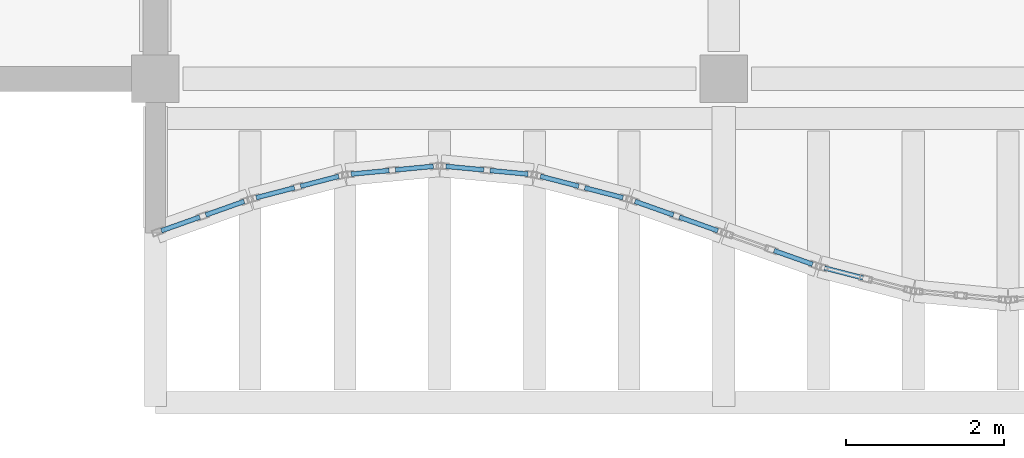
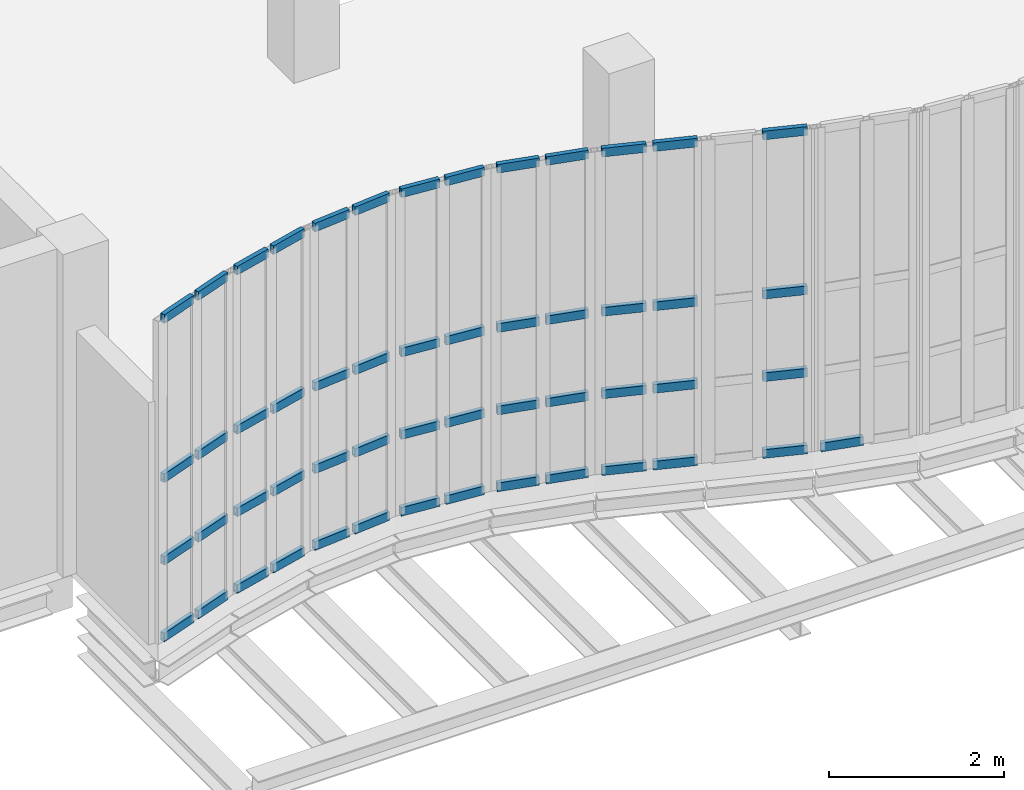
# One storey, part 46 of 105: 53 members, 8 elements without a shape of their own.
"""IFC4 building model written with IfcOpenShell, lengths in metres."""

from ifc_helpers import new_model, si_unit, direction, frame, origin, origin_2d, place, context, subcontext, project, spatial, hollow_rectangle, extrude, material, layer, layer_set, material_profile, profile_set, type_object, element, aggregate, save


model = new_model("IFC4")

# Units and contexts
model_context = context("Model", 3, precision=1e-05, world=origin(), true_north=direction((0.0, 1.0)))
body_context = subcontext(model_context, "Body", "Model", "MODEL_VIEW")
ifc_project = project(units=[si_unit("LENGTHUNIT", "METRE"), si_unit("AREAUNIT", "SQUARE_METRE"), si_unit("VOLUMEUNIT", "CUBIC_METRE"), si_unit("PLANEANGLEUNIT", "RADIAN"), si_unit("MASSUNIT", "GRAM", prefix="KILO"), si_unit("THERMODYNAMICTEMPERATUREUNIT", "KELVIN"), si_unit("POWERUNIT", "WATT")], contexts=[model_context])

# Site, building, storey
site_placement = place(None, origin())
site = spatial("IfcSite", under=ifc_project, at=site_placement, CompositionType="ELEMENT")
building_placement = place(site_placement, origin())
building = spatial("IfcBuilding", under=site, at=building_placement, Name="Kaldorven Railside Theatre", CompositionType="ELEMENT")
storey_placement = place(building_placement, frame((0.0, 0.0, 9.89990234375)))
storey = spatial("IfcBuildingStorey", under=building, at=storey_placement, Name="L02", CompositionType="ELEMENT", Elevation=9.89990234375)

# Curtain wall, members
ifc_material_1 = material(Name="Low-E laminated solar-control glass", Category="glass")
ifc_layer_1 = layer(ifc_material_1, 0.159912109375, Name="Low-E laminated solar-control glass")
ifc_layer_set_1 = layer_set([ifc_layer_1], Name="Low-E laminated solar-control glass")
curtain_wall_type_1 = type_object("IfcCurtainWallType", Name="CWT-01", PredefinedType="USERDEFINED", material=ifc_layer_set_1)
curtain_wall_1_placement = place(storey_placement, origin())
curtain_wall_1 = element("IfcCurtainWall", 1, at=curtain_wall_1_placement, inside=storey, type_object=curtain_wall_type_1, Name="Sinusoidal Fluted Curtain Wall CW-L02-S01", ObjectType="FLUTED GLAZING", PredefinedType="USERDEFINED")
ifc_material_2 = material(Name="Anodised bronze aluminium", Category="aluminium")
ifc_material_profile = material_profile(ifc_material_2, hollow_rectangle(XDim=0.06005859375, YDim=0.1201171875, WallThickness=0.0048828125, at=origin_2d()), Name="RHS 120x60x5")
ifc_profile_set = profile_set([ifc_material_profile], Name="Anodised bronze aluminium")
member_type = type_object("IfcMemberType", Name="CWT-120", PredefinedType="USERDEFINED", material=ifc_profile_set)
member_1_placement = place(storey_placement, frame((36.87548828125, 17.276611328125, 0.030029296875), z_axis=(0.942509408488, 0.334179614745, 0.0), x_axis=(-0.334179614745, 0.942509408488, 0.0)))
member_1 = element("IfcMember", 2, at=member_1_placement, type_object=member_type, Name="CW-L02-S01 transom 1.1", ObjectType="TRANSOM", PredefinedType="USERDEFINED", context=body_context, shape_type="SweptSolid", body=[
    extrude(hollow_rectangle(XDim=0.06005859375, YDim=0.1201171875, WallThickness=0.0048828125, at=origin_2d()), origin(), (0.0, 0.0, 1.0), 0.5166015625),
])
member_2_placement = place(storey_placement, frame((36.87548828125, 17.276611328125, 1.10009765625), z_axis=(0.942509408488, 0.334179614745, 0.0), x_axis=(-0.334179614745, 0.942509408488, 0.0)))
member_2 = element("IfcMember", 3, at=member_2_placement, type_object=member_type, Name="CW-L02-S01 transom 1.2", ObjectType="TRANSOM", PredefinedType="USERDEFINED", context=body_context, shape_type="SweptSolid", body=[
    extrude(hollow_rectangle(XDim=0.06005859375, YDim=0.1201171875, WallThickness=0.0048828125, at=origin_2d()), origin(), (0.0, 0.0, 1.0), 0.5166015625),
])
member_3_placement = place(storey_placement, frame((36.87548828125, 17.276611328125, 2.25), z_axis=(0.942509408488, 0.334179614745, 0.0), x_axis=(-0.334179614745, 0.942509408488, 0.0)))
member_3 = element("IfcMember", 4, at=member_3_placement, type_object=member_type, Name="CW-L02-S01 transom 1.3", ObjectType="TRANSOM", PredefinedType="USERDEFINED", context=body_context, shape_type="SweptSolid", body=[
    extrude(hollow_rectangle(XDim=0.06005859375, YDim=0.1201171875, WallThickness=0.0048828125, at=origin_2d()), origin(), (0.0, 0.0, 1.0), 0.5166015625),
])
member_4_placement = place(storey_placement, frame((36.87548828125, 17.276611328125, 4.47021484375), z_axis=(0.942509408488, 0.334179614745, 0.0), x_axis=(-0.334179614745, 0.942509408488, 0.0)))
member_4 = element("IfcMember", 5, at=member_4_placement, type_object=member_type, Name="CW-L02-S01 transom 1.4", ObjectType="TRANSOM", PredefinedType="USERDEFINED", context=body_context, shape_type="SweptSolid", body=[
    extrude(hollow_rectangle(XDim=0.06005859375, YDim=0.1201171875, WallThickness=0.0048828125, at=origin_2d()), origin(), (0.0, 0.0, 1.0), 0.5166015625),
])
member_5_placement = place(storey_placement, frame((37.437744140625, 17.475830078125, 0.030029296875), z_axis=(0.942658214948, 0.333759628763, 0.0), x_axis=(-0.333759628763, 0.942658214948, 0.0)))
member_5 = element("IfcMember", 6, at=member_5_placement, type_object=member_type, Name="CW-L02-S01 transom 2.1", ObjectType="TRANSOM", PredefinedType="USERDEFINED", context=body_context, shape_type="SweptSolid", body=[
    extrude(hollow_rectangle(XDim=0.06005859375, YDim=0.1201171875, WallThickness=0.0048828125, at=origin_2d()), origin(), (0.0, 0.0, 1.0), 0.516357421875),
])
member_6_placement = place(storey_placement, frame((37.437744140625, 17.475830078125, 1.10009765625), z_axis=(0.942658214948, 0.333759628763, 0.0), x_axis=(-0.333759628763, 0.942658214948, 0.0)))
member_6 = element("IfcMember", 7, at=member_6_placement, type_object=member_type, Name="CW-L02-S01 transom 2.2", ObjectType="TRANSOM", PredefinedType="USERDEFINED", context=body_context, shape_type="SweptSolid", body=[
    extrude(hollow_rectangle(XDim=0.06005859375, YDim=0.1201171875, WallThickness=0.0048828125, at=origin_2d()), origin(), (0.0, 0.0, 1.0), 0.516357421875),
])
member_7_placement = place(storey_placement, frame((37.437744140625, 17.475830078125, 2.25), z_axis=(0.942658214948, 0.333759628763, 0.0), x_axis=(-0.333759628763, 0.942658214948, 0.0)))
member_7 = element("IfcMember", 8, at=member_7_placement, type_object=member_type, Name="CW-L02-S01 transom 2.3", ObjectType="TRANSOM", PredefinedType="USERDEFINED", context=body_context, shape_type="SweptSolid", body=[
    extrude(hollow_rectangle(XDim=0.06005859375, YDim=0.1201171875, WallThickness=0.0048828125, at=origin_2d()), origin(), (0.0, 0.0, 1.0), 0.516357421875),
])
member_8_placement = place(storey_placement, frame((37.437744140625, 17.475830078125, 4.47021484375), z_axis=(0.942658214948, 0.333759628763, 0.0), x_axis=(-0.333759628763, 0.942658214948, 0.0)))
member_8 = element("IfcMember", 9, at=member_8_placement, type_object=member_type, Name="CW-L02-S01 transom 2.4", ObjectType="TRANSOM", PredefinedType="USERDEFINED", context=body_context, shape_type="SweptSolid", body=[
    extrude(hollow_rectangle(XDim=0.06005859375, YDim=0.1201171875, WallThickness=0.0048828125, at=origin_2d()), origin(), (0.0, 0.0, 1.0), 0.516357421875),
])
aggregate(curtain_wall_1, [member_1, member_2, member_3, member_4, member_5, member_6, member_7, member_8])

ifc_layer_2 = layer(ifc_material_1, 0.159912109375, Name="Low-E laminated solar-control glass")
ifc_layer_set_2 = layer_set([ifc_layer_2], Name="Low-E laminated solar-control glass")
curtain_wall_type_2 = type_object("IfcCurtainWallType", Name="CWT-02", PredefinedType="USERDEFINED", material=ifc_layer_set_2)
curtain_wall_2_placement = place(storey_placement, origin())
curtain_wall_2 = element("IfcCurtainWall", 10, at=curtain_wall_2_placement, inside=storey, type_object=curtain_wall_type_2, Name="Sinusoidal Fluted Curtain Wall CW-L02-S02", ObjectType="FLUTED GLAZING", PredefinedType="USERDEFINED")
member_9_placement = place(storey_placement, frame((38.077392578125, 17.695068359375, 0.030029296875), z_axis=(0.967979318949, 0.251029954561, 0.0), x_axis=(-0.251029954561, 0.967979318949, 0.0)))
member_9 = element("IfcMember", 11, at=member_9_placement, type_object=member_type, Name="CW-L02-S02 transom 1.1", ObjectType="TRANSOM", PredefinedType="USERDEFINED", context=body_context, shape_type="SweptSolid", body=[
    extrude(hollow_rectangle(XDim=0.06005859375, YDim=0.1201171875, WallThickness=0.0048828125, at=origin_2d()), origin(), (0.0, 0.0, 1.0), 0.5),
])
member_10_placement = place(storey_placement, frame((38.077392578125, 17.695068359375, 1.10009765625), z_axis=(0.967979318949, 0.251029954561, 0.0), x_axis=(-0.251029954561, 0.967979318949, 0.0)))
member_10 = element("IfcMember", 12, at=member_10_placement, type_object=member_type, Name="CW-L02-S02 transom 1.2", ObjectType="TRANSOM", PredefinedType="USERDEFINED", context=body_context, shape_type="SweptSolid", body=[
    extrude(hollow_rectangle(XDim=0.06005859375, YDim=0.1201171875, WallThickness=0.0048828125, at=origin_2d()), origin(), (0.0, 0.0, 1.0), 0.5),
])
member_11_placement = place(storey_placement, frame((38.077392578125, 17.695068359375, 2.25), z_axis=(0.967979318949, 0.251029954561, 0.0), x_axis=(-0.251029954561, 0.967979318949, 0.0)))
member_11 = element("IfcMember", 13, at=member_11_placement, type_object=member_type, Name="CW-L02-S02 transom 1.3", ObjectType="TRANSOM", PredefinedType="USERDEFINED", context=body_context, shape_type="SweptSolid", body=[
    extrude(hollow_rectangle(XDim=0.06005859375, YDim=0.1201171875, WallThickness=0.0048828125, at=origin_2d()), origin(), (0.0, 0.0, 1.0), 0.5),
])
member_12_placement = place(storey_placement, frame((38.077392578125, 17.695068359375, 4.47021484375), z_axis=(0.967979318949, 0.251029954561, 0.0), x_axis=(-0.251029954561, 0.967979318949, 0.0)))
member_12 = element("IfcMember", 14, at=member_12_placement, type_object=member_type, Name="CW-L02-S02 transom 1.4", ObjectType="TRANSOM", PredefinedType="USERDEFINED", context=body_context, shape_type="SweptSolid", body=[
    extrude(hollow_rectangle(XDim=0.06005859375, YDim=0.1201171875, WallThickness=0.0048828125, at=origin_2d()), origin(), (0.0, 0.0, 1.0), 0.5),
])
member_13_placement = place(storey_placement, frame((38.638671875, 17.840576171875, 0.030029296875), z_axis=(0.967979318949, 0.251029954561, 0.0), x_axis=(-0.251029954561, 0.967979318949, 0.0)))
member_13 = element("IfcMember", 15, at=member_13_placement, type_object=member_type, Name="CW-L02-S02 transom 2.1", ObjectType="TRANSOM", PredefinedType="USERDEFINED", context=body_context, shape_type="SweptSolid", body=[
    extrude(hollow_rectangle(XDim=0.06005859375, YDim=0.1201171875, WallThickness=0.0048828125, at=origin_2d()), origin(), (0.0, 0.0, 1.0), 0.5),
])
member_14_placement = place(storey_placement, frame((38.638671875, 17.840576171875, 1.10009765625), z_axis=(0.967979318949, 0.251029954561, 0.0), x_axis=(-0.251029954561, 0.967979318949, 0.0)))
member_14 = element("IfcMember", 16, at=member_14_placement, type_object=member_type, Name="CW-L02-S02 transom 2.2", ObjectType="TRANSOM", PredefinedType="USERDEFINED", context=body_context, shape_type="SweptSolid", body=[
    extrude(hollow_rectangle(XDim=0.06005859375, YDim=0.1201171875, WallThickness=0.0048828125, at=origin_2d()), origin(), (0.0, 0.0, 1.0), 0.5),
])
member_15_placement = place(storey_placement, frame((38.638671875, 17.840576171875, 2.25), z_axis=(0.967979318949, 0.251029954561, 0.0), x_axis=(-0.251029954561, 0.967979318949, 0.0)))
member_15 = element("IfcMember", 17, at=member_15_placement, type_object=member_type, Name="CW-L02-S02 transom 2.3", ObjectType="TRANSOM", PredefinedType="USERDEFINED", context=body_context, shape_type="SweptSolid", body=[
    extrude(hollow_rectangle(XDim=0.06005859375, YDim=0.1201171875, WallThickness=0.0048828125, at=origin_2d()), origin(), (0.0, 0.0, 1.0), 0.5),
])
member_16_placement = place(storey_placement, frame((38.638671875, 17.840576171875, 4.47021484375), z_axis=(0.967979318949, 0.251029954561, 0.0), x_axis=(-0.251029954561, 0.967979318949, 0.0)))
member_16 = element("IfcMember", 18, at=member_16_placement, type_object=member_type, Name="CW-L02-S02 transom 2.4", ObjectType="TRANSOM", PredefinedType="USERDEFINED", context=body_context, shape_type="SweptSolid", body=[
    extrude(hollow_rectangle(XDim=0.06005859375, YDim=0.1201171875, WallThickness=0.0048828125, at=origin_2d()), origin(), (0.0, 0.0, 1.0), 0.5),
])
aggregate(curtain_wall_2, [member_9, member_10, member_11, member_12, member_13, member_14, member_15, member_16])

ifc_layer_3 = layer(ifc_material_1, 0.159912109375, Name="Low-E laminated solar-control glass")
ifc_layer_set_3 = layer_set([ifc_layer_3], Name="Low-E laminated solar-control glass")
curtain_wall_type_3 = type_object("IfcCurtainWallType", Name="CWT-03", PredefinedType="USERDEFINED", material=ifc_layer_set_3)
curtain_wall_3_placement = place(storey_placement, origin())
curtain_wall_3 = element("IfcCurtainWall", 19, at=curtain_wall_3_placement, inside=storey, type_object=curtain_wall_type_3, Name="Sinusoidal Fluted Curtain Wall CW-L02-S03", ObjectType="FLUTED GLAZING", PredefinedType="USERDEFINED")
member_17_placement = place(storey_placement, frame((39.279541015625, 17.99365234375, 0.030029296875), z_axis=(0.995520433802, 0.094546633378, 0.0), x_axis=(-0.094546633378, 0.995520433802, 0.0)))
member_17 = element("IfcMember", 20, at=member_17_placement, type_object=member_type, Name="CW-L02-S03 transom 1.1", ObjectType="TRANSOM", PredefinedType="USERDEFINED", context=body_context, shape_type="SweptSolid", body=[
    extrude(hollow_rectangle(XDim=0.06005859375, YDim=0.1201171875, WallThickness=0.0048828125, at=origin_2d()), origin(), (0.0, 0.0, 1.0), 0.48291015625),
])
member_18_placement = place(storey_placement, frame((39.279541015625, 17.99365234375, 1.10009765625), z_axis=(0.995520433802, 0.094546633378, 0.0), x_axis=(-0.094546633378, 0.995520433802, 0.0)))
member_18 = element("IfcMember", 21, at=member_18_placement, type_object=member_type, Name="CW-L02-S03 transom 1.2", ObjectType="TRANSOM", PredefinedType="USERDEFINED", context=body_context, shape_type="SweptSolid", body=[
    extrude(hollow_rectangle(XDim=0.06005859375, YDim=0.1201171875, WallThickness=0.0048828125, at=origin_2d()), origin(), (0.0, 0.0, 1.0), 0.48291015625),
])
member_19_placement = place(storey_placement, frame((39.279541015625, 17.99365234375, 2.25), z_axis=(0.995520433802, 0.094546633378, 0.0), x_axis=(-0.094546633378, 0.995520433802, 0.0)))
member_19 = element("IfcMember", 22, at=member_19_placement, type_object=member_type, Name="CW-L02-S03 transom 1.3", ObjectType="TRANSOM", PredefinedType="USERDEFINED", context=body_context, shape_type="SweptSolid", body=[
    extrude(hollow_rectangle(XDim=0.06005859375, YDim=0.1201171875, WallThickness=0.0048828125, at=origin_2d()), origin(), (0.0, 0.0, 1.0), 0.48291015625),
])
member_20_placement = place(storey_placement, frame((39.279541015625, 17.99365234375, 4.47021484375), z_axis=(0.995520433802, 0.094546633378, 0.0), x_axis=(-0.094546633378, 0.995520433802, 0.0)))
member_20 = element("IfcMember", 23, at=member_20_placement, type_object=member_type, Name="CW-L02-S03 transom 1.4", ObjectType="TRANSOM", PredefinedType="USERDEFINED", context=body_context, shape_type="SweptSolid", body=[
    extrude(hollow_rectangle(XDim=0.06005859375, YDim=0.1201171875, WallThickness=0.0048828125, at=origin_2d()), origin(), (0.0, 0.0, 1.0), 0.48291015625),
])
member_21_placement = place(storey_placement, frame((39.83984375, 18.046875, 0.030029296875), z_axis=(0.995515910823, 0.094594245591, 0.0), x_axis=(-0.094594245591, 0.995515910823, 0.0)))
member_21 = element("IfcMember", 24, at=member_21_placement, type_object=member_type, Name="CW-L02-S03 transom 2.1", ObjectType="TRANSOM", PredefinedType="USERDEFINED", context=body_context, shape_type="SweptSolid", body=[
    extrude(hollow_rectangle(XDim=0.06005859375, YDim=0.1201171875, WallThickness=0.0048828125, at=origin_2d()), origin(), (0.0, 0.0, 1.0), 0.482666015625),
])
member_22_placement = place(storey_placement, frame((39.83984375, 18.046875, 1.10009765625), z_axis=(0.995515910823, 0.094594245591, 0.0), x_axis=(-0.094594245591, 0.995515910823, 0.0)))
member_22 = element("IfcMember", 25, at=member_22_placement, type_object=member_type, Name="CW-L02-S03 transom 2.2", ObjectType="TRANSOM", PredefinedType="USERDEFINED", context=body_context, shape_type="SweptSolid", body=[
    extrude(hollow_rectangle(XDim=0.06005859375, YDim=0.1201171875, WallThickness=0.0048828125, at=origin_2d()), origin(), (0.0, 0.0, 1.0), 0.482666015625),
])
member_23_placement = place(storey_placement, frame((39.83984375, 18.046875, 2.25), z_axis=(0.995515910823, 0.094594245591, 0.0), x_axis=(-0.094594245591, 0.995515910823, 0.0)))
member_23 = element("IfcMember", 26, at=member_23_placement, type_object=member_type, Name="CW-L02-S03 transom 2.3", ObjectType="TRANSOM", PredefinedType="USERDEFINED", context=body_context, shape_type="SweptSolid", body=[
    extrude(hollow_rectangle(XDim=0.06005859375, YDim=0.1201171875, WallThickness=0.0048828125, at=origin_2d()), origin(), (0.0, 0.0, 1.0), 0.482666015625),
])
member_24_placement = place(storey_placement, frame((39.83984375, 18.046875, 4.47021484375), z_axis=(0.995515910823, 0.094594245591, 0.0), x_axis=(-0.094594245591, 0.995515910823, 0.0)))
member_24 = element("IfcMember", 27, at=member_24_placement, type_object=member_type, Name="CW-L02-S03 transom 2.4", ObjectType="TRANSOM", PredefinedType="USERDEFINED", context=body_context, shape_type="SweptSolid", body=[
    extrude(hollow_rectangle(XDim=0.06005859375, YDim=0.1201171875, WallThickness=0.0048828125, at=origin_2d()), origin(), (0.0, 0.0, 1.0), 0.482666015625),
])
aggregate(curtain_wall_3, [member_17, member_18, member_19, member_20, member_21, member_22, member_23, member_24])

curtain_wall_4_placement = place(storey_placement, origin())
curtain_wall_4 = element("IfcCurtainWall", 28, at=curtain_wall_4_placement, inside=storey, type_object=curtain_wall_type_3, Name="Sinusoidal Fluted Curtain Wall CW-L02-S04", ObjectType="FLUTED GLAZING", PredefinedType="USERDEFINED")
member_25_placement = place(storey_placement, frame((40.479736328125, 18.092529296875, 0.030029296875), z_axis=(0.995515910823, -0.094594245591, 0.0), x_axis=(0.094594245591, 0.995515910823, 0.0)))
member_25 = element("IfcMember", 29, at=member_25_placement, type_object=member_type, Name="CW-L02-S04 transom 1.1", ObjectType="TRANSOM", PredefinedType="USERDEFINED", context=body_context, shape_type="SweptSolid", body=[
    extrude(hollow_rectangle(XDim=0.06005859375, YDim=0.1201171875, WallThickness=0.0048828125, at=origin_2d()), origin(), (0.0, 0.0, 1.0), 0.482666015625),
])
member_26_placement = place(storey_placement, frame((40.479736328125, 18.092529296875, 1.10009765625), z_axis=(0.995515910823, -0.094594245591, 0.0), x_axis=(0.094594245591, 0.995515910823, 0.0)))
member_26 = element("IfcMember", 30, at=member_26_placement, type_object=member_type, Name="CW-L02-S04 transom 1.2", ObjectType="TRANSOM", PredefinedType="USERDEFINED", context=body_context, shape_type="SweptSolid", body=[
    extrude(hollow_rectangle(XDim=0.06005859375, YDim=0.1201171875, WallThickness=0.0048828125, at=origin_2d()), origin(), (0.0, 0.0, 1.0), 0.482666015625),
])
member_27_placement = place(storey_placement, frame((40.479736328125, 18.092529296875, 2.25), z_axis=(0.995515910823, -0.094594245591, 0.0), x_axis=(0.094594245591, 0.995515910823, 0.0)))
member_27 = element("IfcMember", 31, at=member_27_placement, type_object=member_type, Name="CW-L02-S04 transom 1.3", ObjectType="TRANSOM", PredefinedType="USERDEFINED", context=body_context, shape_type="SweptSolid", body=[
    extrude(hollow_rectangle(XDim=0.06005859375, YDim=0.1201171875, WallThickness=0.0048828125, at=origin_2d()), origin(), (0.0, 0.0, 1.0), 0.482666015625),
])
member_28_placement = place(storey_placement, frame((40.479736328125, 18.092529296875, 4.47021484375), z_axis=(0.995515910823, -0.094594245591, 0.0), x_axis=(0.094594245591, 0.995515910823, 0.0)))
member_28 = element("IfcMember", 32, at=member_28_placement, type_object=member_type, Name="CW-L02-S04 transom 1.4", ObjectType="TRANSOM", PredefinedType="USERDEFINED", context=body_context, shape_type="SweptSolid", body=[
    extrude(hollow_rectangle(XDim=0.06005859375, YDim=0.1201171875, WallThickness=0.0048828125, at=origin_2d()), origin(), (0.0, 0.0, 1.0), 0.482666015625),
])
member_29_placement = place(storey_placement, frame((41.039794921875, 18.039306640625, 0.030029296875), z_axis=(0.995515910823, -0.094594245591, 0.0), x_axis=(0.094594245591, 0.995515910823, 0.0)))
member_29 = element("IfcMember", 33, at=member_29_placement, type_object=member_type, Name="CW-L02-S04 transom 2.1", ObjectType="TRANSOM", PredefinedType="USERDEFINED", context=body_context, shape_type="SweptSolid", body=[
    extrude(hollow_rectangle(XDim=0.06005859375, YDim=0.1201171875, WallThickness=0.0048828125, at=origin_2d()), origin(), (0.0, 0.0, 1.0), 0.482666015625),
])
member_30_placement = place(storey_placement, frame((41.039794921875, 18.039306640625, 1.10009765625), z_axis=(0.995515910823, -0.094594245591, 0.0), x_axis=(0.094594245591, 0.995515910823, 0.0)))
member_30 = element("IfcMember", 34, at=member_30_placement, type_object=member_type, Name="CW-L02-S04 transom 2.2", ObjectType="TRANSOM", PredefinedType="USERDEFINED", context=body_context, shape_type="SweptSolid", body=[
    extrude(hollow_rectangle(XDim=0.06005859375, YDim=0.1201171875, WallThickness=0.0048828125, at=origin_2d()), origin(), (0.0, 0.0, 1.0), 0.482666015625),
])
member_31_placement = place(storey_placement, frame((41.039794921875, 18.039306640625, 2.25), z_axis=(0.995515910823, -0.094594245591, 0.0), x_axis=(0.094594245591, 0.995515910823, 0.0)))
member_31 = element("IfcMember", 35, at=member_31_placement, type_object=member_type, Name="CW-L02-S04 transom 2.3", ObjectType="TRANSOM", PredefinedType="USERDEFINED", context=body_context, shape_type="SweptSolid", body=[
    extrude(hollow_rectangle(XDim=0.06005859375, YDim=0.1201171875, WallThickness=0.0048828125, at=origin_2d()), origin(), (0.0, 0.0, 1.0), 0.482666015625),
])
member_32_placement = place(storey_placement, frame((41.039794921875, 18.039306640625, 4.47021484375), z_axis=(0.995515910823, -0.094594245591, 0.0), x_axis=(0.094594245591, 0.995515910823, 0.0)))
member_32 = element("IfcMember", 36, at=member_32_placement, type_object=member_type, Name="CW-L02-S04 transom 2.4", ObjectType="TRANSOM", PredefinedType="USERDEFINED", context=body_context, shape_type="SweptSolid", body=[
    extrude(hollow_rectangle(XDim=0.06005859375, YDim=0.1201171875, WallThickness=0.0048828125, at=origin_2d()), origin(), (0.0, 0.0, 1.0), 0.482666015625),
])
aggregate(curtain_wall_4, [member_25, member_26, member_27, member_28, member_29, member_30, member_31, member_32])

curtain_wall_5_placement = place(storey_placement, origin())
curtain_wall_5 = element("IfcCurtainWall", 37, at=curtain_wall_5_placement, inside=storey, type_object=curtain_wall_type_2, Name="Sinusoidal Fluted Curtain Wall CW-L02-S05", ObjectType="FLUTED GLAZING", PredefinedType="USERDEFINED")
member_33_placement = place(storey_placement, frame((41.677490234375, 17.966064453125, 0.030029296875), z_axis=(0.967979318949, -0.251029954561, 0.0), x_axis=(0.251029954561, 0.967979318949, 0.0)))
member_33 = element("IfcMember", 38, at=member_33_placement, type_object=member_type, Name="CW-L02-S05 transom 1.1", ObjectType="TRANSOM", PredefinedType="USERDEFINED", context=body_context, shape_type="SweptSolid", body=[
    extrude(hollow_rectangle(XDim=0.06005859375, YDim=0.1201171875, WallThickness=0.0048828125, at=origin_2d()), origin(), (0.0, 0.0, 1.0), 0.5),
])
member_34_placement = place(storey_placement, frame((41.677490234375, 17.966064453125, 1.10009765625), z_axis=(0.967979318949, -0.251029954561, 0.0), x_axis=(0.251029954561, 0.967979318949, 0.0)))
member_34 = element("IfcMember", 39, at=member_34_placement, type_object=member_type, Name="CW-L02-S05 transom 1.2", ObjectType="TRANSOM", PredefinedType="USERDEFINED", context=body_context, shape_type="SweptSolid", body=[
    extrude(hollow_rectangle(XDim=0.06005859375, YDim=0.1201171875, WallThickness=0.0048828125, at=origin_2d()), origin(), (0.0, 0.0, 1.0), 0.5),
])
member_35_placement = place(storey_placement, frame((41.677490234375, 17.966064453125, 2.25), z_axis=(0.967979318949, -0.251029954561, 0.0), x_axis=(0.251029954561, 0.967979318949, 0.0)))
member_35 = element("IfcMember", 40, at=member_35_placement, type_object=member_type, Name="CW-L02-S05 transom 1.3", ObjectType="TRANSOM", PredefinedType="USERDEFINED", context=body_context, shape_type="SweptSolid", body=[
    extrude(hollow_rectangle(XDim=0.06005859375, YDim=0.1201171875, WallThickness=0.0048828125, at=origin_2d()), origin(), (0.0, 0.0, 1.0), 0.5),
])
member_36_placement = place(storey_placement, frame((41.677490234375, 17.966064453125, 4.47021484375), z_axis=(0.967979318949, -0.251029954561, 0.0), x_axis=(0.251029954561, 0.967979318949, 0.0)))
member_36 = element("IfcMember", 41, at=member_36_placement, type_object=member_type, Name="CW-L02-S05 transom 1.4", ObjectType="TRANSOM", PredefinedType="USERDEFINED", context=body_context, shape_type="SweptSolid", body=[
    extrude(hollow_rectangle(XDim=0.06005859375, YDim=0.1201171875, WallThickness=0.0048828125, at=origin_2d()), origin(), (0.0, 0.0, 1.0), 0.5),
])
member_37_placement = place(storey_placement, frame((42.23876953125, 17.820556640625, 0.030029296875), z_axis=(0.967979318949, -0.251029954561, 0.0), x_axis=(0.251029954561, 0.967979318949, 0.0)))
member_37 = element("IfcMember", 42, at=member_37_placement, type_object=member_type, Name="CW-L02-S05 transom 2.1", ObjectType="TRANSOM", PredefinedType="USERDEFINED", context=body_context, shape_type="SweptSolid", body=[
    extrude(hollow_rectangle(XDim=0.06005859375, YDim=0.1201171875, WallThickness=0.0048828125, at=origin_2d()), origin(), (0.0, 0.0, 1.0), 0.5),
])
member_38_placement = place(storey_placement, frame((42.23876953125, 17.820556640625, 1.10009765625), z_axis=(0.967979318949, -0.251029954561, 0.0), x_axis=(0.251029954561, 0.967979318949, 0.0)))
member_38 = element("IfcMember", 43, at=member_38_placement, type_object=member_type, Name="CW-L02-S05 transom 2.2", ObjectType="TRANSOM", PredefinedType="USERDEFINED", context=body_context, shape_type="SweptSolid", body=[
    extrude(hollow_rectangle(XDim=0.06005859375, YDim=0.1201171875, WallThickness=0.0048828125, at=origin_2d()), origin(), (0.0, 0.0, 1.0), 0.5),
])
member_39_placement = place(storey_placement, frame((42.23876953125, 17.820556640625, 2.25), z_axis=(0.967979318949, -0.251029954561, 0.0), x_axis=(0.251029954561, 0.967979318949, 0.0)))
member_39 = element("IfcMember", 44, at=member_39_placement, type_object=member_type, Name="CW-L02-S05 transom 2.3", ObjectType="TRANSOM", PredefinedType="USERDEFINED", context=body_context, shape_type="SweptSolid", body=[
    extrude(hollow_rectangle(XDim=0.06005859375, YDim=0.1201171875, WallThickness=0.0048828125, at=origin_2d()), origin(), (0.0, 0.0, 1.0), 0.5),
])
member_40_placement = place(storey_placement, frame((42.23876953125, 17.820556640625, 4.47021484375), z_axis=(0.967979318949, -0.251029954561, 0.0), x_axis=(0.251029954561, 0.967979318949, 0.0)))
member_40 = element("IfcMember", 45, at=member_40_placement, type_object=member_type, Name="CW-L02-S05 transom 2.4", ObjectType="TRANSOM", PredefinedType="USERDEFINED", context=body_context, shape_type="SweptSolid", body=[
    extrude(hollow_rectangle(XDim=0.06005859375, YDim=0.1201171875, WallThickness=0.0048828125, at=origin_2d()), origin(), (0.0, 0.0, 1.0), 0.5),
])
aggregate(curtain_wall_5, [member_33, member_34, member_35, member_36, member_37, member_38, member_39, member_40])

curtain_wall_6_placement = place(storey_placement, origin())
curtain_wall_6 = element("IfcCurtainWall", 46, at=curtain_wall_6_placement, inside=storey, type_object=curtain_wall_type_1, Name="Sinusoidal Fluted Curtain Wall CW-L02-S06", ObjectType="FLUTED GLAZING", PredefinedType="USERDEFINED")
member_41_placement = place(storey_placement, frame((42.87548828125, 17.648193359375, 0.030029296875), z_axis=(0.942658214948, -0.333759628763, 0.0), x_axis=(0.333759628763, 0.942658214948, 0.0)))
member_41 = element("IfcMember", 47, at=member_41_placement, type_object=member_type, Name="CW-L02-S06 transom 1.1", ObjectType="TRANSOM", PredefinedType="USERDEFINED", context=body_context, shape_type="SweptSolid", body=[
    extrude(hollow_rectangle(XDim=0.06005859375, YDim=0.1201171875, WallThickness=0.0048828125, at=origin_2d()), origin(), (0.0, 0.0, 1.0), 0.516357421875),
])
member_42_placement = place(storey_placement, frame((42.87548828125, 17.648193359375, 1.10009765625), z_axis=(0.942658214948, -0.333759628763, 0.0), x_axis=(0.333759628763, 0.942658214948, 0.0)))
member_42 = element("IfcMember", 48, at=member_42_placement, type_object=member_type, Name="CW-L02-S06 transom 1.2", ObjectType="TRANSOM", PredefinedType="USERDEFINED", context=body_context, shape_type="SweptSolid", body=[
    extrude(hollow_rectangle(XDim=0.06005859375, YDim=0.1201171875, WallThickness=0.0048828125, at=origin_2d()), origin(), (0.0, 0.0, 1.0), 0.516357421875),
])
member_43_placement = place(storey_placement, frame((42.87548828125, 17.648193359375, 2.25), z_axis=(0.942658214948, -0.333759628763, 0.0), x_axis=(0.333759628763, 0.942658214948, 0.0)))
member_43 = element("IfcMember", 49, at=member_43_placement, type_object=member_type, Name="CW-L02-S06 transom 1.3", ObjectType="TRANSOM", PredefinedType="USERDEFINED", context=body_context, shape_type="SweptSolid", body=[
    extrude(hollow_rectangle(XDim=0.06005859375, YDim=0.1201171875, WallThickness=0.0048828125, at=origin_2d()), origin(), (0.0, 0.0, 1.0), 0.516357421875),
])
member_44_placement = place(storey_placement, frame((42.87548828125, 17.648193359375, 4.47021484375), z_axis=(0.942658214948, -0.333759628763, 0.0), x_axis=(0.333759628763, 0.942658214948, 0.0)))
member_44 = element("IfcMember", 50, at=member_44_placement, type_object=member_type, Name="CW-L02-S06 transom 1.4", ObjectType="TRANSOM", PredefinedType="USERDEFINED", context=body_context, shape_type="SweptSolid", body=[
    extrude(hollow_rectangle(XDim=0.06005859375, YDim=0.1201171875, WallThickness=0.0048828125, at=origin_2d()), origin(), (0.0, 0.0, 1.0), 0.516357421875),
])
member_45_placement = place(storey_placement, frame((43.437744140625, 17.44921875, 0.030029296875), z_axis=(0.942509408488, -0.334179614745, 0.0), x_axis=(0.334179614745, 0.942509408488, 0.0)))
member_45 = element("IfcMember", 51, at=member_45_placement, type_object=member_type, Name="CW-L02-S06 transom 2.1", ObjectType="TRANSOM", PredefinedType="USERDEFINED", context=body_context, shape_type="SweptSolid", body=[
    extrude(hollow_rectangle(XDim=0.06005859375, YDim=0.1201171875, WallThickness=0.0048828125, at=origin_2d()), origin(), (0.0, 0.0, 1.0), 0.5166015625),
])
member_46_placement = place(storey_placement, frame((43.437744140625, 17.44921875, 1.10009765625), z_axis=(0.942509408488, -0.334179614745, 0.0), x_axis=(0.334179614745, 0.942509408488, 0.0)))
member_46 = element("IfcMember", 52, at=member_46_placement, type_object=member_type, Name="CW-L02-S06 transom 2.2", ObjectType="TRANSOM", PredefinedType="USERDEFINED", context=body_context, shape_type="SweptSolid", body=[
    extrude(hollow_rectangle(XDim=0.06005859375, YDim=0.1201171875, WallThickness=0.0048828125, at=origin_2d()), origin(), (0.0, 0.0, 1.0), 0.5166015625),
])
member_47_placement = place(storey_placement, frame((43.437744140625, 17.44921875, 2.25), z_axis=(0.942509408488, -0.334179614745, 0.0), x_axis=(0.334179614745, 0.942509408488, 0.0)))
member_47 = element("IfcMember", 53, at=member_47_placement, type_object=member_type, Name="CW-L02-S06 transom 2.3", ObjectType="TRANSOM", PredefinedType="USERDEFINED", context=body_context, shape_type="SweptSolid", body=[
    extrude(hollow_rectangle(XDim=0.06005859375, YDim=0.1201171875, WallThickness=0.0048828125, at=origin_2d()), origin(), (0.0, 0.0, 1.0), 0.5166015625),
])
member_48_placement = place(storey_placement, frame((43.437744140625, 17.44921875, 4.47021484375), z_axis=(0.942509408488, -0.334179614745, 0.0), x_axis=(0.334179614745, 0.942509408488, 0.0)))
member_48 = element("IfcMember", 54, at=member_48_placement, type_object=member_type, Name="CW-L02-S06 transom 2.4", ObjectType="TRANSOM", PredefinedType="USERDEFINED", context=body_context, shape_type="SweptSolid", body=[
    extrude(hollow_rectangle(XDim=0.06005859375, YDim=0.1201171875, WallThickness=0.0048828125, at=origin_2d()), origin(), (0.0, 0.0, 1.0), 0.5166015625),
])
aggregate(curtain_wall_6, [member_41, member_42, member_43, member_44, member_45, member_46, member_47, member_48])

curtain_wall_7_placement = place(storey_placement, origin())
curtain_wall_7 = element("IfcCurtainWall", 55, at=curtain_wall_7_placement, inside=storey, type_object=curtain_wall_type_1, Name="Sinusoidal Fluted Curtain Wall CW-L02-S07", ObjectType="FLUTED GLAZING", PredefinedType="USERDEFINED")
member_49_placement = place(storey_placement, frame((44.6376953125, 17.024169921875, 0.030029296875), z_axis=(0.942658214948, -0.333759628763, 0.0), x_axis=(0.333759628763, 0.942658214948, 0.0)))
member_49 = element("IfcMember", 56, at=member_49_placement, type_object=member_type, Name="CW-L02-S07 transom 2.1", ObjectType="TRANSOM", PredefinedType="USERDEFINED", context=body_context, shape_type="SweptSolid", body=[
    extrude(hollow_rectangle(XDim=0.06005859375, YDim=0.1201171875, WallThickness=0.0048828125, at=origin_2d()), origin(), (0.0, 0.0, 1.0), 0.516357421875),
])
member_50_placement = place(storey_placement, frame((44.6376953125, 17.024169921875, 1.10009765625), z_axis=(0.942658214948, -0.333759628763, 0.0), x_axis=(0.333759628763, 0.942658214948, 0.0)))
member_50 = element("IfcMember", 57, at=member_50_placement, type_object=member_type, Name="CW-L02-S07 transom 2.2", ObjectType="TRANSOM", PredefinedType="USERDEFINED", context=body_context, shape_type="SweptSolid", body=[
    extrude(hollow_rectangle(XDim=0.06005859375, YDim=0.1201171875, WallThickness=0.0048828125, at=origin_2d()), origin(), (0.0, 0.0, 1.0), 0.516357421875),
])
member_51_placement = place(storey_placement, frame((44.6376953125, 17.024169921875, 2.25), z_axis=(0.942658214948, -0.333759628763, 0.0), x_axis=(0.333759628763, 0.942658214948, 0.0)))
member_51 = element("IfcMember", 58, at=member_51_placement, type_object=member_type, Name="CW-L02-S07 transom 2.3", ObjectType="TRANSOM", PredefinedType="USERDEFINED", context=body_context, shape_type="SweptSolid", body=[
    extrude(hollow_rectangle(XDim=0.06005859375, YDim=0.1201171875, WallThickness=0.0048828125, at=origin_2d()), origin(), (0.0, 0.0, 1.0), 0.516357421875),
])
member_52_placement = place(storey_placement, frame((44.6376953125, 17.024169921875, 4.47021484375), z_axis=(0.942658214948, -0.333759628763, 0.0), x_axis=(0.333759628763, 0.942658214948, 0.0)))
member_52 = element("IfcMember", 59, at=member_52_placement, type_object=member_type, Name="CW-L02-S07 transom 2.4", ObjectType="TRANSOM", PredefinedType="USERDEFINED", context=body_context, shape_type="SweptSolid", body=[
    extrude(hollow_rectangle(XDim=0.06005859375, YDim=0.1201171875, WallThickness=0.0048828125, at=origin_2d()), origin(), (0.0, 0.0, 1.0), 0.516357421875),
])
aggregate(curtain_wall_7, [member_49, member_50, member_51, member_52])

# Curtain wall, member
curtain_wall_8_placement = place(storey_placement, origin())
curtain_wall_8 = element("IfcCurtainWall", 60, at=curtain_wall_8_placement, inside=storey, type_object=curtain_wall_type_2, Name="Sinusoidal Fluted Curtain Wall CW-L02-S08", ObjectType="FLUTED GLAZING", PredefinedType="USERDEFINED")
member_53_placement = place(storey_placement, frame((45.27734375, 16.804931640625, 0.030029296875), z_axis=(0.967979318949, -0.251029954561, 0.0), x_axis=(0.251029954561, 0.967979318949, 0.0)))
member_53 = element("IfcMember", 61, at=member_53_placement, type_object=member_type, Name="CW-L02-S08 transom 1.1", ObjectType="TRANSOM", PredefinedType="USERDEFINED", context=body_context, shape_type="SweptSolid", body=[
    extrude(hollow_rectangle(XDim=0.06005859375, YDim=0.1201171875, WallThickness=0.0048828125, at=origin_2d()), origin(), (0.0, 0.0, 1.0), 0.5),
])
aggregate(curtain_wall_8, [member_53])

save(model, "model.ifc")
